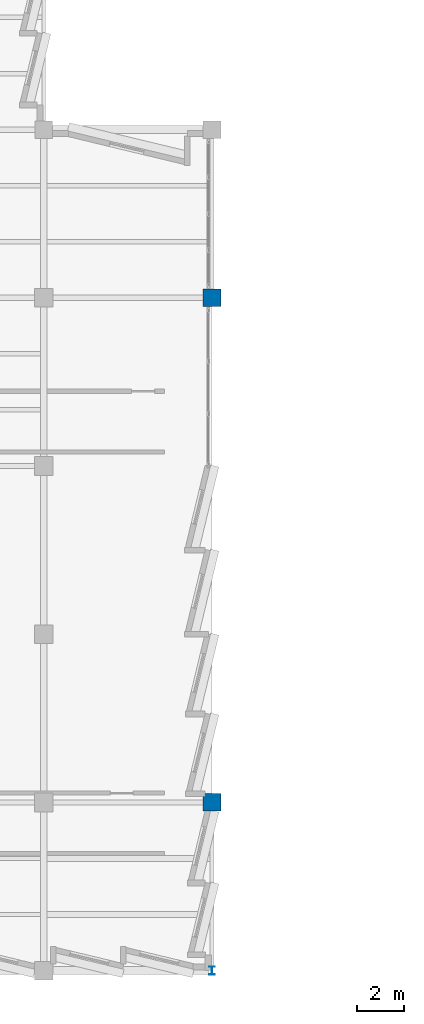
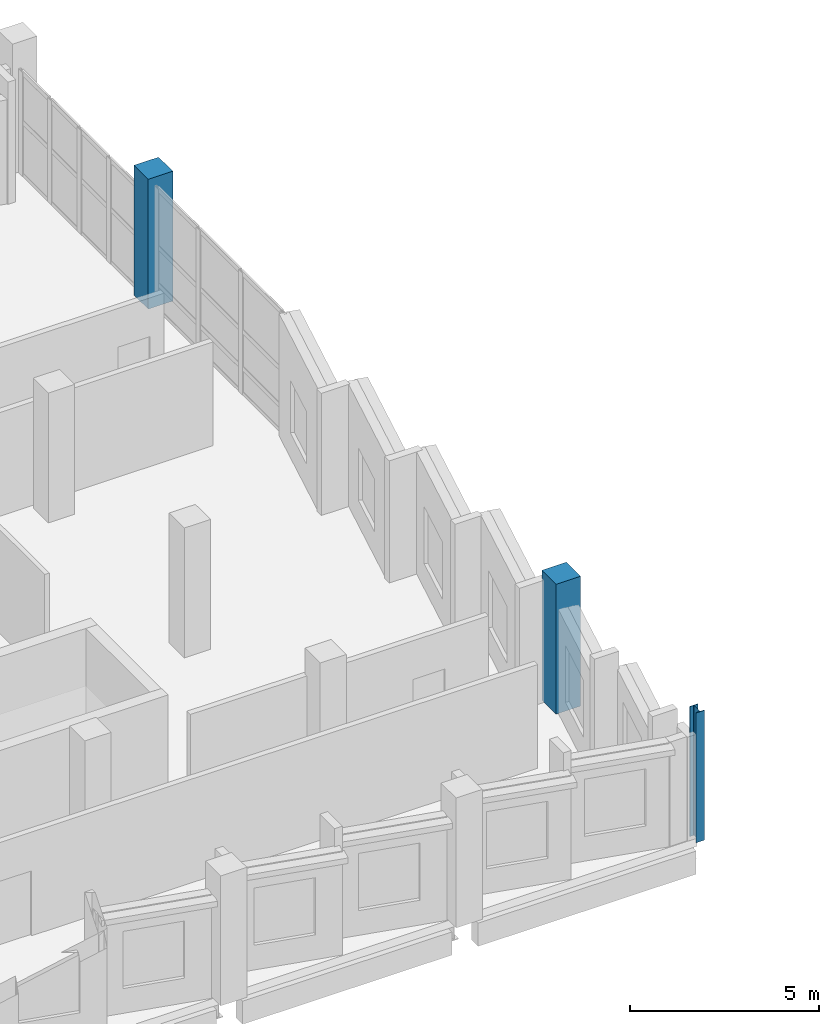
# One storey, part 2 of 94: 3 columns.
"""IFC4 building model written with IfcOpenShell, lengths in metres."""

import ifcopenshell
import ifcopenshell.guid

model = None  # the IFC model being written
_history = None  # IfcOwnerHistory: only IFC2X3 demands one
_inside = {}  # id of a spatial element -> (the spatial element, [elements in it])
_under = {}  # id of a project, library or spatial element -> (it, [spatial elements below it])
_declared = {}  # id of a project -> (the project, [libraries it declares])
_typed = {}  # id of a type object -> (the type object, [elements of that type])
_made_of = {}  # id of a material, layer set ... -> (it, [elements and type objects made of it])


def new_model(schema):
    """Start an empty IFC model of exactly this schema.

    Asked for "IFC4X3", IfcOpenShell would pick the latest addendum, in which some entities
    have other attributes; the version numbers below select the first issue.
    IFC2X3 requires an IfcOwnerHistory on every rooted entity: one is made here for all.
    """
    global model, _history
    if schema == "IFC4X3":
        model = ifcopenshell.file(schema_version=(4, 3, 0, 0))
    else:
        model = ifcopenshell.file(schema=schema)
    _inside.clear()
    _under.clear()
    _declared.clear()
    _typed.clear()
    _made_of.clear()
    _history = None
    if model.schema == "IFC2X3":
        org = make("IfcOrganization", Name="unknown")
        user = make(
            "IfcPersonAndOrganization",
            ThePerson=make("IfcPerson", FamilyName="unknown"),
            TheOrganization=org,
        )
        app = make(
            "IfcApplication",
            ApplicationDeveloper=org,
            Version="unknown",
            ApplicationFullName="unknown",
            ApplicationIdentifier="unknown",
        )
        _history = make(
            "IfcOwnerHistory",
            OwningUser=user,
            OwningApplication=app,
            ChangeAction="ADDED",
            CreationDate=0,
        )
    return model


def make(cls, **values):
    """One entity of the class cls with the attributes given. An attribute that is None is left unset."""
    return model.create_entity(
        cls, **{name: value for name, value in values.items() if value is not None}
    )


def rooted(cls, **values):
    """An entity with a GlobalId (a new one), such as an element, a storey or a relation."""
    return make(cls, GlobalId=ifcopenshell.guid.new(), OwnerHistory=_history, **values)


def si_unit(unit_type, name, prefix=None):
    """IfcSIUnit, for example si_unit("LENGTHUNIT", "METRE", prefix="MILLI")."""
    return make("IfcSIUnit", UnitType=unit_type, Prefix=prefix, Name=name)


def assignment(units):
    """IfcUnitAssignment: the units of a project."""
    return None if units is None else make("IfcUnitAssignment", Units=units)


def point(xyz):
    """IfcCartesianPoint."""
    return None if xyz is None else make("IfcCartesianPoint", Coordinates=xyz)


def direction(xyz):
    """IfcDirection."""
    return None if xyz is None else make("IfcDirection", DirectionRatios=xyz)


def frame(location, z_axis=None, x_axis=None):
    """IfcAxis2Placement3D, a coordinate frame: its origin and axes. An axis left out is left unset."""
    return make(
        "IfcAxis2Placement3D",
        Location=point(location),
        Axis=direction(z_axis),
        RefDirection=direction(x_axis),
    )


def frame_2d(location, x_axis=None):
    """IfcAxis2Placement2D, a coordinate frame in the plane: its origin and x axis."""
    return make(
        "IfcAxis2Placement2D", Location=point(location), RefDirection=direction(x_axis)
    )


def origin():
    """The frame at (0, 0, 0) with its axes left unset."""
    return frame((0.0, 0.0, 0.0))


def origin_2d():
    """The frame at (0, 0) in the plane with its x axis left unset."""
    return frame_2d((0.0, 0.0))


def place(relative_to, where):
    """IfcLocalPlacement: puts the frame where relative to a parent placement (None: the world)."""
    return make(
        "IfcLocalPlacement", PlacementRelTo=relative_to, RelativePlacement=where
    )


def context(
    kind, dimensions, precision=None, world=None, true_north=None, identifier=None
):
    """IfcGeometricRepresentationContext, for example the 3D "Model" context."""
    return make(
        "IfcGeometricRepresentationContext",
        ContextIdentifier=identifier,
        ContextType=kind,
        CoordinateSpaceDimension=dimensions,
        Precision=precision,
        WorldCoordinateSystem=world,
        TrueNorth=true_north,
    )


def subcontext(parent, identifier, kind, view, scale=None):
    """IfcGeometricRepresentationSubContext, for example "Body" below "Model"."""
    return make(
        "IfcGeometricRepresentationSubContext",
        ContextIdentifier=identifier,
        ContextType=kind,
        ParentContext=parent,
        TargetScale=scale,
        TargetView=view,
    )


def project(units=None, contexts=None):
    """IfcProject with its units and contexts."""
    return rooted(
        "IfcProject",
        Name="project",
        RepresentationContexts=contexts,
        UnitsInContext=assignment(units),
    )


def spatial(cls, under=None, at=None, **own):
    """A site, building, storey or space (cls), placed at a placement, below another one or the project."""
    s = rooted(cls, ObjectPlacement=at, **own)
    if under is not None:
        _under.setdefault(under.id(), (under, []))[1].append(s)
    return s


def profile(cls, at=None, kind="AREA", **sizes):
    """A parametric profile (cls). Its sizes go by their IFC names, for example OverallWidth=200.0."""
    return make(cls, ProfileType=kind, Position=at, **sizes)


def rectangle(**sizes):
    """IfcRectangleProfileDef."""
    return profile("IfcRectangleProfileDef", **sizes)


def i_section(**sizes):
    """IfcIShapeProfileDef."""
    return profile("IfcIShapeProfileDef", **sizes)


def extrude(swept, where, along, depth):
    """IfcExtrudedAreaSolid: the profile swept, set in the frame where, extruded along a direction by depth."""
    return make(
        "IfcExtrudedAreaSolid",
        SweptArea=swept,
        Position=where,
        ExtrudedDirection=direction(along),
        Depth=depth,
    )


def shape(context_of_items, identifier, shape_type, items):
    """IfcShapeRepresentation: the items that make up one representation, for example the "Body"."""
    return make(
        "IfcShapeRepresentation",
        ContextOfItems=context_of_items,
        RepresentationIdentifier=identifier,
        RepresentationType=shape_type,
        Items=items,
    )


def material(Name=None, Category=None):
    """IfcMaterial."""
    return make("IfcMaterial", Name=Name, Category=Category)


def material_profile(
    of_material, cross_section, Name=None, Category=None, Priority=None
):
    """IfcMaterialProfile: a cross section and its material."""
    return make(
        "IfcMaterialProfile",
        Name=Name,
        Material=of_material,
        Profile=cross_section,
        Priority=Priority,
        Category=Category,
    )


def profile_set(profiles, Name=None, composite=None):
    """IfcMaterialProfileSet."""
    return make(
        "IfcMaterialProfileSet",
        Name=Name,
        MaterialProfiles=profiles,
        CompositeProfile=composite,
    )


def made_of(thing, what):
    """Note that an element or type object is made of a material, layer set ...; save() writes the relation."""
    if what is not None:
        _made_of.setdefault(what.id(), (what, []))[1].append(thing)
    return thing


def type_object(cls, material=None, **own):
    """A type object (cls), such as IfcWallType, which elements share."""
    return made_of(rooted(cls, **own), material)


def element(
    cls,
    number,
    at=None,
    inside=None,
    cuts=None,
    type_object=None,
    material=None,
    context=None,
    identifier="Body",
    shape_type=None,
    held_by="IfcProductDefinitionShape",
    body=None,
    shapes=None,
    **own,
):
    """One element of the class cls, such as IfcWall. Its Tag is "e" and its number.

    at: its placement. inside: the storey or other place that contains it. cuts: it is an
    opening in that element (IfcRelVoidsElement). A single representation is given by context,
    identifier, shape_type and body (its items); several are given by shapes. held_by: the class
    of the entity that holds the representations. save() writes the other relations.
    """
    e = rooted(cls, Tag="e%d" % number, ObjectPlacement=at, **own)
    if body is not None:
        shapes = [shape(context, identifier, shape_type, body)]
    if shapes is not None:
        e.Representation = make(held_by, Representations=shapes)
    if inside is not None:
        _inside.setdefault(inside.id(), (inside, []))[1].append(e)
    if cuts is not None:
        rooted(
            "IfcRelVoidsElement", RelatingBuildingElement=cuts, RelatedOpeningElement=e
        )
    if type_object is not None:
        _typed.setdefault(type_object.id(), (type_object, []))[1].append(e)
    return made_of(e, material)


def aggregate(whole, parts):
    """IfcRelAggregates: a whole, such as a stair, and the parts it consists of."""
    return rooted("IfcRelAggregates", RelatingObject=whole, RelatedObjects=parts)


def save(model, path):
    """Write the relations noted so far, then the file.

    IfcRelAggregates (storeys below a building ...), IfcRelContainedInSpatialStructure (elements
    in a storey), IfcRelDefinesByType, IfcRelAssociatesMaterial and IfcRelDeclares: one each for
    every whole, place, type object, material and project.
    """
    for whole, parts in _under.values():
        aggregate(whole, parts)
    for where, things in _inside.values():
        rooted(
            "IfcRelContainedInSpatialStructure",
            RelatedElements=things,
            RelatingStructure=where,
        )
    for kind, things in _typed.values():
        rooted("IfcRelDefinesByType", RelatedObjects=things, RelatingType=kind)
    for what, things in _made_of.values():
        rooted("IfcRelAssociatesMaterial", RelatedObjects=things, RelatingMaterial=what)
    for by, libraries in _declared.values():
        rooted("IfcRelDeclares", RelatingContext=by, RelatedDefinitions=libraries)
    model.write(path)


model = new_model("IFC4")

# Units and contexts
model_context = context("Model", 3, precision=1e-05, world=origin(), true_north=direction((0.0, 1.0)))
body_context = subcontext(model_context, "Body", "Model", "MODEL_VIEW")
ifc_project = project(units=[si_unit("LENGTHUNIT", "METRE"), si_unit("AREAUNIT", "SQUARE_METRE"), si_unit("VOLUMEUNIT", "CUBIC_METRE"), si_unit("PLANEANGLEUNIT", "RADIAN"), si_unit("MASSUNIT", "GRAM", prefix="KILO")], contexts=[model_context])

# Site, building, storey
site_placement = place(None, origin())
site = spatial("IfcSite", under=ifc_project, at=site_placement, CompositionType="ELEMENT")
building_placement = place(site_placement, origin())
building = spatial("IfcBuilding", under=site, at=building_placement, Name="Kalmorath City Hall", CompositionType="ELEMENT")
storey_placement = place(building_placement, frame((0.0, 0.0, 14.699951171875)))
storey = spatial("IfcBuildingStorey", under=building, at=storey_placement, Name="L03", CompositionType="ELEMENT", Elevation=14.699951171875)

# Columns
ifc_material_1 = material(Name="Concrete C50/60", Category="concrete")
ifc_material_profile_1 = material_profile(ifc_material_1, rectangle(XDim=0.75, YDim=0.75, at=origin_2d()), Name="RC-COL-750X750")
ifc_profile_set_1 = profile_set([ifc_material_profile_1], Name="Concrete C50/60")
column_type_1 = type_object("IfcColumnType", Name="Concrete column 750x750", PredefinedType="COLUMN", material=ifc_profile_set_1)
for number, where, z_axis, x_axis, name in (
    (1, (36.0, 7.199951171875, 0.0), (0.0, 0.0, 1.0), (1.0, 0.0, 0.0), "L03 column C3 (6/2)"),
    (2, (36.0, 28.800048828125, 0.0), (0.0, 0.0, 1.0), (1.0, 0.0, 0.0), "L03 column C3 (6/5)"),
):
    element("IfcColumn", number, at=place(storey_placement, frame(where, z_axis=z_axis, x_axis=x_axis)), inside=storey, type_object=column_type_1, Name=name, PredefinedType="COLUMN", context=body_context, shape_type="SweptSolid", body=[
        extrude(rectangle(XDim=0.75, YDim=0.75, at=origin_2d()), origin(), (0.0, 0.0, 1.0), 4.199951171875),
    ])
ifc_material_2 = material(Name="Steel ASTM A992 Grade 50", Category="steel")
ifc_material_profile_2 = material_profile(ifc_material_2, i_section(OverallWidth=0.25390625, OverallDepth=0.35302734375, WebThickness=0.009521484375, FlangeThickness=0.016357421875, FilletRadius=0.014892578125, at=origin_2d()), Name="W14X61")
ifc_profile_set_2 = profile_set([ifc_material_profile_2], Name="Steel ASTM A992 Grade 50")
column_type_2 = type_object("IfcColumnType", Name="Steel wide-flange column W14X61", PredefinedType="COLUMN", material=ifc_profile_set_2)
column_placement = place(storey_placement, frame((36.0, 0.0, 0.0), z_axis=(0.0, 0.0, 1.0), x_axis=(1.0, 0.0, 0.0)))
element("IfcColumn", 3, at=column_placement, inside=storey, type_object=column_type_2, Name="L03 column SC1 (6/1)", PredefinedType="COLUMN", context=body_context, shape_type="SweptSolid", body=[
    extrude(i_section(OverallWidth=0.25390625, OverallDepth=0.35302734375, WebThickness=0.009521484375, FlangeThickness=0.016357421875, FilletRadius=0.014892578125, at=origin_2d()), origin(), (0.0, 0.0, 1.0), 4.199951171875),
])

save(model, "model.ifc")
